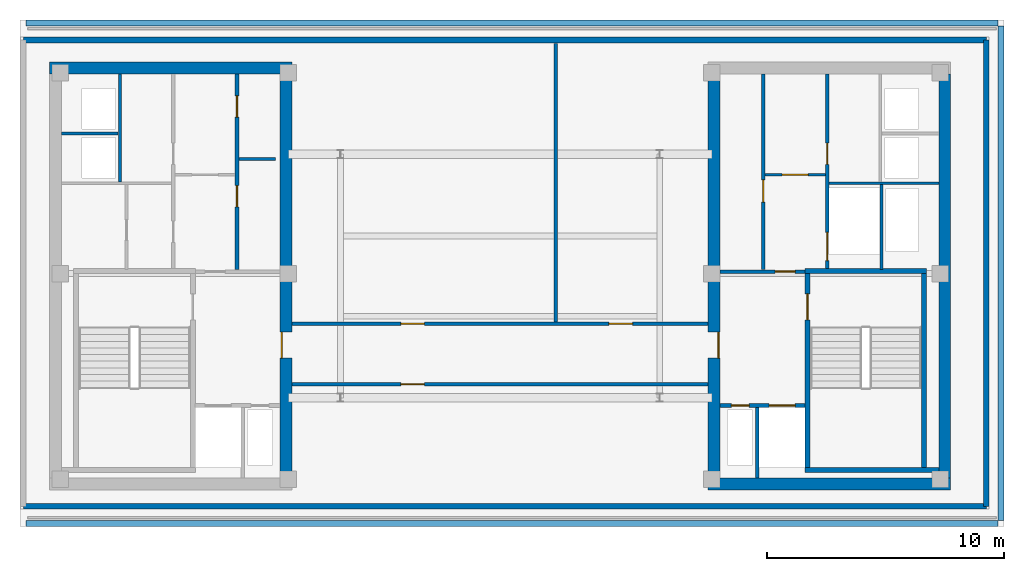
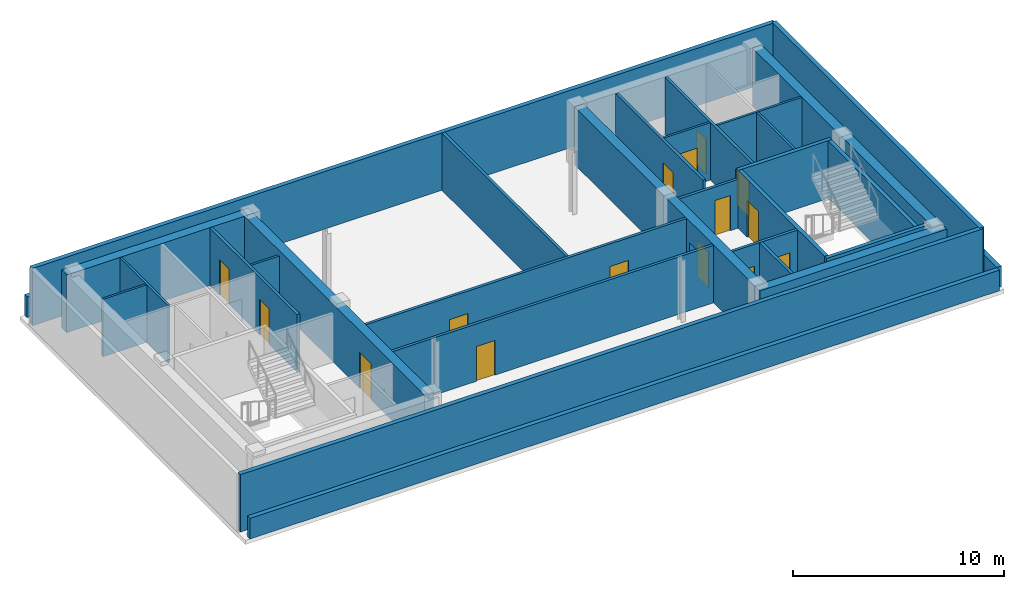
# One storey, part 3 of 5: 30 walls, 15 doors, 15 openings.
"""IFC4 building model written with IfcOpenShell, lengths in metres."""

from ifc_helpers import new_model, si_unit, direction, frame, frame_2d, origin, place, context, subcontext, project, spatial, rectangle, extrude, material, layer, layer_set, type_object, element, fill, save


model = new_model("IFC4")

# Units and contexts
model_context = context("Model", 3, precision=1e-05, world=origin(), true_north=direction((0.0, 1.0)))
body_context = subcontext(model_context, "Body", "Model", "MODEL_VIEW")
ifc_project = project(units=[si_unit("LENGTHUNIT", "METRE"), si_unit("AREAUNIT", "SQUARE_METRE"), si_unit("VOLUMEUNIT", "CUBIC_METRE"), si_unit("PLANEANGLEUNIT", "RADIAN"), si_unit("MASSUNIT", "GRAM", prefix="KILO")], contexts=[model_context])

# Site, building, storey
site_placement = place(None, origin())
site = spatial("IfcSite", under=ifc_project, at=site_placement, CompositionType="ELEMENT")
building_placement = place(site_placement, origin())
building = spatial("IfcBuilding", under=site, at=building_placement, Name="Velakula Bourse", CompositionType="ELEMENT")
storey_placement = place(building_placement, frame((0.0, 0.0, 304.949951171875)))
storey = spatial("IfcBuildingStorey", under=building, at=storey_placement, Name="L83", CompositionType="ELEMENT", Elevation=304.949951171875)

# Wall, opening, door
ifc_material_1 = material(Name="Concrete M50 (fck 50 MPa)", Category="concrete")
ifc_layer_1 = layer(ifc_material_1, 0.2099609375, Name="Concrete M50 (fck 50 MPa)", Category="concrete")
ifc_layer_set_1 = layer_set([ifc_layer_1], Name="Concrete M50 (fck 50 MPa)")
wall_type_1 = type_object("IfcWallType", Name="WL-CORE-210", PredefinedType="SHEAR", material=ifc_layer_set_1)
wall_1_placement = place(storey_placement, frame((12.9951171875, -8.10009765625, 0.0), z_axis=(0.0, 0.0, 1.0), x_axis=(0.0, 1.0, 0.0)))
wall_1 = element("IfcWall", 1, at=wall_1_placement, inside=storey, type_object=wall_type_1, Name="L83 Core E Stairwell Shear Wall IN", PredefinedType="SHEAR", context=body_context, shape_type="SweptSolid", body=[
    extrude(rectangle(XDim=8.2001953125, YDim=0.2099609375, at=frame_2d((4.10009765625, 0.0))), origin(), (0.0, 0.0, 1.0), 3.35009765625),
])
opening_1_placement = place(wall_1_placement, frame((6.25, 0.0, 0.0)))
opening_1 = element("IfcOpeningElement", 2, at=opening_1_placement, cuts=wall_1, Name="Opening D-STE1", PredefinedType="OPENING", context=body_context, shape_type="SweptSolid", body=[
    extrude(rectangle(XDim=1.10009765625, YDim=2.14990234375, at=frame_2d((0.550048828125, 1.074951171875))), frame((0.0, 0.114990234375, 0.0), z_axis=(0.0, -1.0, 0.0), x_axis=(1.0, 0.0, 0.0)), (0.0, 0.0, 1.0), 0.22998046875),
])
ifc_material_2 = material(Name="Galvanised painted hollow steel fire door", Category="steel")
door_type_1 = type_object("IfcDoorType", Name="DR-FD120-1100x2150", OperationType="NOTDEFINED", PredefinedType="DOOR", material=ifc_material_2)
door_1_placement = place(opening_1_placement, origin())
door_1 = element("IfcDoor", 3, at=door_1_placement, inside=storey, type_object=door_type_1, Name="L83 Stair ST-E1 Fire Door", OperationType="SINGLE_SWING_RIGHT", OverallHeight=2.14990234375, OverallWidth=1.10009765625, PredefinedType="DOOR", context=body_context, shape_type="SweptSolid", body=[
    extrude(rectangle(XDim=1.10009765625, YDim=2.14990234375, at=frame_2d((0.550048828125, 1.074951171875))), frame((0.0, 0.02490234375, 0.0), z_axis=(0.0, -1.0, 0.0), x_axis=(1.0, 0.0, 0.0)), (0.0, 0.0, 1.0), 0.050048828125),
])
fill(opening_1, door_1)

# Walls
wall_2_placement = place(storey_placement, frame((17.925048828125, -8.10009765625, 0.0), z_axis=(0.0, 0.0, 1.0), x_axis=(0.0, 1.0, 0.0)))
element("IfcWall", 4, at=wall_2_placement, inside=storey, type_object=wall_type_1, Name="L83 Core E Stairwell Shear Wall OUT", PredefinedType="SHEAR", context=body_context, shape_type="SweptSolid", body=[
    extrude(rectangle(XDim=8.2001953125, YDim=0.2099609375, at=frame_2d((4.10009765625, 0.0))), origin(), (0.0, 0.0, 1.0), 3.35009765625),
])
wall_3_placement = place(storey_placement, frame((12.889892578125, -8.205078125, 0.0), z_axis=(0.0, 0.0, 1.0), x_axis=(1.0, 0.0, 0.0)))
element("IfcWall", 5, at=wall_3_placement, inside=storey, type_object=wall_type_1, Name="L83 Core E Stairwell Shear Wall S", PredefinedType="SHEAR", context=body_context, shape_type="SweptSolid", body=[
    extrude(rectangle(XDim=5.66015625, YDim=0.2099609375, at=frame_2d((2.830078125, 0.0))), origin(), (0.0, 0.0, 1.0), 3.35009765625),
])
wall_4_placement = place(storey_placement, frame((18.030029296875, 0.205078125, 0.0), z_axis=(0.0, 0.0, 1.0), x_axis=(-1.0, 0.0, 0.0)))
element("IfcWall", 6, at=wall_4_placement, inside=storey, type_object=wall_type_1, Name="L83 Core E Stairwell Shear Wall N", PredefinedType="SHEAR", context=body_context, shape_type="SweptSolid", body=[
    extrude(rectangle(XDim=5.14013671875, YDim=0.2099609375, at=frame_2d((2.570068359375, 0.0))), origin(), (0.0, 0.0, 1.0), 3.35009765625),
])
ifc_layer_2 = layer(ifc_material_1, 0.5, Name="Concrete M50 (fck 50 MPa)", Category="concrete")
ifc_layer_set_2 = layer_set([ifc_layer_2], Name="Concrete M50 (fck 50 MPa)")
wall_type_2 = type_object("IfcWallType", Name="WL-CORE-500", PredefinedType="SHEAR", material=ifc_layer_set_2)
wall_5_placement = place(storey_placement, frame((-19.050048828125, 8.800048828125, 0.0), z_axis=(0.0, 0.0, 1.0), x_axis=(1.0, 0.0, 0.0)))
element("IfcWall", 7, at=wall_5_placement, inside=storey, type_object=wall_type_2, Name="L83 Core W Shear Wall N", PredefinedType="SHEAR", context=body_context, shape_type="SweptSolid", body=[
    extrude(rectangle(XDim=10.25, YDim=0.5, at=frame_2d((5.125, 0.0))), origin(), (0.0, 0.0, 1.0), 3.35009765625),
])

# Wall, opening, door
wall_6_placement = place(storey_placement, frame((-9.050048828125, -8.550048828125, 0.0), z_axis=(0.0, 0.0, 1.0), x_axis=(0.0, 1.0, 0.0)))
wall_6 = element("IfcWall", 8, at=wall_6_placement, inside=storey, type_object=wall_type_2, Name="L83 Core W Shear Wall E", PredefinedType="SHEAR", context=body_context, shape_type="SweptSolid", body=[
    extrude(rectangle(XDim=17.10009765625, YDim=0.5, at=frame_2d((8.550048828125, 0.0))), origin(), (0.0, 0.0, 1.0), 3.35009765625),
])
opening_2_placement = place(wall_6_placement, frame((5.080078125, 0.0, 0.0)))
opening_2 = element("IfcOpeningElement", 9, at=opening_2_placement, cuts=wall_6, Name="Opening D-FLW", PredefinedType="OPENING", context=body_context, shape_type="SweptSolid", body=[
    extrude(rectangle(XDim=1.10009765625, YDim=2.080078125, at=frame_2d((0.550048828125, 1.0400390625))), frame((0.0, 0.260009765625, 0.0), z_axis=(0.0, -1.0, 0.0), x_axis=(1.0, 0.0, 0.0)), (0.0, 0.0, 1.0), 0.52001953125),
])
door_type_2 = type_object("IfcDoorType", Name="DR-FD120-1100", OperationType="NOTDEFINED", PredefinedType="DOOR", material=ifc_material_2)
door_2_placement = place(opening_2_placement, origin())
door_2 = element("IfcDoor", 10, at=door_2_placement, inside=storey, type_object=door_type_2, Name="L83 Firefighting Lobby W Corridor Fire Door", OperationType="SINGLE_SWING_LEFT", OverallHeight=2.080078125, OverallWidth=1.10009765625, PredefinedType="DOOR", context=body_context, shape_type="SweptSolid", body=[
    extrude(rectangle(XDim=1.10009765625, YDim=2.080078125, at=frame_2d((0.550048828125, 1.0400390625))), frame((0.0, 0.205078125, 0.0), z_axis=(0.0, -1.0, 0.0), x_axis=(1.0, 0.0, 0.0)), (0.0, 0.0, 1.0), 0.050048828125),
])
fill(opening_2, door_2)

# Wall
wall_7_placement = place(storey_placement, frame((8.800048828125, -8.800048828125, 0.0), z_axis=(0.0, 0.0, 1.0), x_axis=(1.0, 0.0, 0.0)))
element("IfcWall", 11, at=wall_7_placement, inside=storey, type_object=wall_type_2, Name="L83 Core E Shear Wall S", PredefinedType="SHEAR", context=body_context, shape_type="SweptSolid", body=[
    extrude(rectangle(XDim=10.25, YDim=0.5, at=frame_2d((5.125, 0.0))), origin(), (0.0, 0.0, 1.0), 3.35009765625),
])

# Wall, opening, door
wall_8_placement = place(storey_placement, frame((9.050048828125, -8.550048828125, 0.0), z_axis=(0.0, 0.0, 1.0), x_axis=(0.0, 1.0, 0.0)))
wall_8 = element("IfcWall", 12, at=wall_8_placement, inside=storey, type_object=wall_type_2, Name="L83 Core E Shear Wall W", PredefinedType="SHEAR", context=body_context, shape_type="SweptSolid", body=[
    extrude(rectangle(XDim=17.10009765625, YDim=0.5, at=frame_2d((8.550048828125, 0.0))), origin(), (0.0, 0.0, 1.0), 3.35009765625),
])
opening_3_placement = place(wall_8_placement, frame((5.080078125, 0.0, 0.0)))
opening_3 = element("IfcOpeningElement", 13, at=opening_3_placement, cuts=wall_8, Name="Opening D-FLE", PredefinedType="OPENING", context=body_context, shape_type="SweptSolid", body=[
    extrude(rectangle(XDim=1.10009765625, YDim=2.080078125, at=frame_2d((0.550048828125, 1.0400390625))), frame((0.0, 0.260009765625, 0.0), z_axis=(0.0, -1.0, 0.0), x_axis=(1.0, 0.0, 0.0)), (0.0, 0.0, 1.0), 0.52001953125),
])
door_3_placement = place(opening_3_placement, origin())
door_3 = element("IfcDoor", 14, at=door_3_placement, inside=storey, type_object=door_type_2, Name="L83 Firefighting Lobby E Corridor Fire Door", OperationType="SINGLE_SWING_RIGHT", OverallHeight=2.080078125, OverallWidth=1.10009765625, PredefinedType="DOOR", context=body_context, shape_type="SweptSolid", body=[
    extrude(rectangle(XDim=1.10009765625, YDim=2.080078125, at=frame_2d((0.550048828125, 1.0400390625))), frame((0.0, -0.15478515625, 0.0), z_axis=(0.0, -1.0, 0.0), x_axis=(1.0, 0.0, 0.0)), (0.0, 0.0, 1.0), 0.050048828125),
])
fill(opening_3, door_3)

# Walls
wall_9_placement = place(storey_placement, frame((18.800048828125, -8.550048828125, 0.0), z_axis=(0.0, 0.0, 1.0), x_axis=(0.0, 1.0, 0.0)))
element("IfcWall", 15, at=wall_9_placement, inside=storey, type_object=wall_type_2, Name="L83 Core E Shear Wall E", PredefinedType="SHEAR", context=body_context, shape_type="SweptSolid", body=[
    extrude(rectangle(XDim=17.10009765625, YDim=0.5, at=frame_2d((8.550048828125, 0.0))), origin(), (0.0, 0.0, 1.0), 3.35009765625),
])
ifc_material_3 = material(Name="Buff kilned clay facing brick masonry", Category="masonry")
ifc_layer_3 = layer(ifc_material_3, 0.239990234375, Name="Buff kilned clay facing brick masonry", Category="masonry")
ifc_layer_set_3 = layer_set([ifc_layer_3], Name="Buff kilned clay facing brick masonry")
wall_type_3 = type_object("IfcWallType", Name="WL-EXT-CRN-240", PredefinedType="STANDARD", material=ifc_layer_set_3)
wall_10_placement = place(storey_placement, frame((-20.159912109375, -9.739990234375, 0.0), z_axis=(0.0, 0.0, 1.0), x_axis=(1.0, 0.0, 0.0)))
element("IfcWall", 16, at=wall_10_placement, inside=storey, type_object=wall_type_3, Name="L83 Crown Brick Acoustic Wall S", PredefinedType="STANDARD", context=body_context, shape_type="SweptSolid", body=[
    extrude(rectangle(XDim=40.719970703125, YDim=0.239990234375, at=frame_2d((20.35986328125, 0.0))), origin(), (0.0, 0.0, 1.0), 3.330078125),
])
wall_11_placement = place(storey_placement, frame((20.56005859375, -9.739990234375, 0.0), z_axis=(0.0, 0.0, 1.0), x_axis=(0.0, 1.0, 0.0)))
element("IfcWall", 17, at=wall_11_placement, inside=storey, type_object=wall_type_3, Name="L83 Crown Brick Acoustic Wall E", PredefinedType="STANDARD", context=body_context, shape_type="SweptSolid", body=[
    extrude(rectangle(XDim=19.719970703125, YDim=0.239990234375, at=frame_2d((9.85986328125, 0.0))), origin(), (0.0, 0.0, 1.0), 3.330078125),
])
wall_12_placement = place(storey_placement, frame((20.56005859375, 9.97998046875, 0.0), z_axis=(0.0, 0.0, 1.0), x_axis=(-1.0, 0.0, 0.0)))
element("IfcWall", 18, at=wall_12_placement, inside=storey, type_object=wall_type_3, Name="L83 Crown Brick Acoustic Wall N", PredefinedType="STANDARD", context=body_context, shape_type="SweptSolid", body=[
    extrude(rectangle(XDim=40.719970703125, YDim=0.239990234375, at=frame_2d((20.35986328125, 0.0))), origin(), (0.0, 0.0, 1.0), 3.330078125),
])
ifc_layer_4 = layer(ifc_material_3, 0.25, Name="Buff kilned clay facing brick masonry", Category="masonry")
ifc_layer_set_4 = layer_set([ifc_layer_4], Name="Buff kilned clay facing brick masonry")
wall_type_4 = type_object("IfcWallType", Name="WL-PAR-ROOF-250", PredefinedType="PARAPET", material=ifc_layer_set_4)
wall_13_placement = place(storey_placement, frame((-20.050048828125, 10.699951171875, 0.0), z_axis=(0.0, 0.0, 1.0), x_axis=(1.0, 0.0, 0.0)))
element("IfcWall", 19, at=wall_13_placement, inside=storey, type_object=wall_type_4, Name="L83 Closed Roof Perimeter Parapet 1", PredefinedType="PARAPET", context=body_context, shape_type="SweptSolid", body=[
    extrude(rectangle(XDim=41.10009765625, YDim=0.25, at=frame_2d((20.550048828125, 0.0))), origin(), (0.0, 0.0, 1.0), 1.199951171875),
])
wall_14_placement = place(storey_placement, frame((21.179931640625, 10.570068359375, 0.0), z_axis=(0.0, 0.0, 1.0), x_axis=(0.0, -1.0, 0.0)))
element("IfcWall", 20, at=wall_14_placement, inside=storey, type_object=wall_type_4, Name="L83 Closed Roof Perimeter Parapet 2", PredefinedType="PARAPET", context=body_context, shape_type="SweptSolid", body=[
    extrude(rectangle(XDim=20.900146484375, YDim=0.25, at=frame_2d((10.4501953125, 0.0))), origin(), (0.0, 0.0, 1.0), 1.199951171875),
])
wall_15_placement = place(storey_placement, frame((21.050048828125, -10.4599609375, 0.0), z_axis=(0.0, 0.0, 1.0), x_axis=(-1.0, 0.0, 0.0)))
element("IfcWall", 21, at=wall_15_placement, inside=storey, type_object=wall_type_4, Name="L83 Closed Roof Perimeter Parapet 3", PredefinedType="PARAPET", context=body_context, shape_type="SweptSolid", body=[
    extrude(rectangle(XDim=41.10009765625, YDim=0.25, at=frame_2d((20.550048828125, 0.0))), origin(), (0.0, 0.0, 1.0), 1.199951171875),
])
ifc_material_4 = material(Name="Fire-rated double-layer gypsum drywall partition", Category="gypsum")
ifc_layer_5 = layer(ifc_material_4, 0.1201171875, Name="Fire-rated double-layer gypsum drywall partition", Category="gypsum")
ifc_layer_set_5 = layer_set([ifc_layer_5], Name="Fire-rated double-layer gypsum drywall partition")
wall_type_5 = type_object("IfcWallType", Name="WL-PART-120", PredefinedType="STANDARD", material=ifc_layer_set_5)
wall_16_placement = place(storey_placement, frame((-11.050048828125, 4.949951171875, 0.0), z_axis=(0.0, 0.0, 1.0), x_axis=(1.0, 0.0, 0.0)))
element("IfcWall", 22, at=wall_16_placement, inside=storey, type_object=wall_type_5, Name="L83 Interior Partition WL-CRW-L83-RCDIV", PredefinedType="STANDARD", context=body_context, shape_type="SweptSolid", body=[
    extrude(rectangle(XDim=1.550048828125, YDim=0.1201171875, at=frame_2d((0.77490234375, 0.0))), origin(), (0.0, 0.0, 1.0), 3.330078125),
])
wall_17_placement = place(storey_placement, frame((-18.550048828125, 6.030029296875, 0.0), z_axis=(0.0, 0.0, 1.0), x_axis=(1.0, 0.0, 0.0)))
element("IfcWall", 23, at=wall_17_placement, inside=storey, type_object=wall_type_5, Name="L83 Interior Partition WL-CRW-L83-RIS-MID", PredefinedType="STANDARD", context=body_context, shape_type="SweptSolid", body=[
    extrude(rectangle(XDim=2.400146484375, YDim=0.1201171875, at=frame_2d((1.2001953125, 0.0))), origin(), (0.0, 0.0, 1.0), 3.330078125),
])
wall_18_placement = place(storey_placement, frame((-16.074951171875, 3.97998046875, 0.0), z_axis=(0.0, 0.0, 1.0), x_axis=(0.0, 1.0, 0.0)))
element("IfcWall", 24, at=wall_18_placement, inside=storey, type_object=wall_type_5, Name="L83 Interior Partition WL-CRW-L83-RIS-F", PredefinedType="STANDARD", context=body_context, shape_type="SweptSolid", body=[
    extrude(rectangle(XDim=4.570068359375, YDim=0.1201171875, at=frame_2d((2.28515625, 0.0))), origin(), (0.0, 0.0, 1.0), 3.330078125),
])

# Wall, opening, door
wall_19_placement = place(storey_placement, frame((11.199951171875, 4.280029296875, 0.0), z_axis=(0.0, 0.0, 1.0), x_axis=(1.0, 0.0, 0.0)))
wall_19 = element("IfcWall", 25, at=wall_19_placement, inside=storey, type_object=wall_type_5, Name="L83 Interior Partition WL-CRE-L83-LL-K2", PredefinedType="STANDARD", context=body_context, shape_type="SweptSolid", body=[
    extrude(rectangle(XDim=2.550048828125, YDim=0.1201171875, at=frame_2d((1.27490234375, 0.0))), origin(), (0.0, 0.0, 1.0), 3.330078125),
])
opening_4_placement = place(wall_19_placement, frame((0.72509765625, 0.0, 0.0)))
opening_4 = element("IfcOpeningElement", 26, at=opening_4_placement, cuts=wall_19, Name="Opening D-LK2", PredefinedType="OPENING", context=body_context, shape_type="SweptSolid", body=[
    extrude(rectangle(XDim=1.10009765625, YDim=2.10009765625, at=frame_2d((0.550048828125, 1.050048828125))), frame((0.0, 0.070068359375, 0.0), z_axis=(0.0, -1.0, 0.0), x_axis=(1.0, 0.0, 0.0)), (0.0, 0.0, 1.0), 0.14013671875),
])
ifc_material_5 = material(Name="Fire-rated hardwood flush architectural door", Category="wood")
door_type_3 = type_object("IfcDoorType", Name="DR-FD60-1100x2100", OperationType="NOTDEFINED", PredefinedType="DOOR", material=ifc_material_5)
door_4_placement = place(opening_4_placement, origin())
door_4 = element("IfcDoor", 27, at=door_4_placement, inside=storey, type_object=door_type_3, Name="L83 Core E Lift Lobby Zone Door", OperationType="SINGLE_SWING_LEFT", OverallHeight=2.10009765625, OverallWidth=1.10009765625, PredefinedType="DOOR", context=body_context, shape_type="SweptSolid", body=[
    extrude(rectangle(XDim=1.10009765625, YDim=2.10009765625, at=frame_2d((0.550048828125, 1.050048828125))), frame((0.0, 0.02490234375, 0.0), z_axis=(0.0, -1.0, 0.0), x_axis=(1.0, 0.0, 0.0)), (0.0, 0.0, 1.0), 0.050048828125),
])
fill(opening_4, door_4)

# Walls
wall_20_placement = place(storey_placement, frame((13.89990234375, 3.919921875, 0.0), z_axis=(0.0, 0.0, 1.0), x_axis=(1.0, 0.0, 0.0)))
element("IfcWall", 28, at=wall_20_placement, inside=storey, type_object=wall_type_5, Name="L83 Interior Partition WL-CRE-L83-HI-S", PredefinedType="STANDARD", context=body_context, shape_type="SweptSolid", body=[
    extrude(rectangle(XDim=4.650146484375, YDim=0.1201171875, at=frame_2d((2.3251953125, 0.0))), origin(), (0.0, 0.0, 1.0), 3.330078125),
])
wall_21_placement = place(storey_placement, frame((16.125, 0.27001953125, 0.0), z_axis=(0.0, 0.0, 1.0), x_axis=(0.0, 1.0, 0.0)))
element("IfcWall", 29, at=wall_21_placement, inside=storey, type_object=wall_type_5, Name="L83 Interior Partition WL-CRE-L83-SVL-E", PredefinedType="STANDARD", context=body_context, shape_type="SweptSolid", body=[
    extrude(rectangle(XDim=3.590087890625, YDim=0.1201171875, at=frame_2d((1.794921875, 0.0))), origin(), (0.0, 0.0, 1.0), 3.330078125),
])

# Wall, openings, doors
ifc_material_6 = material(Name="Autoclaved aerated concrete blockwork masonry", Category="masonry")
ifc_layer_6 = layer(ifc_material_6, 0.14990234375, Name="Autoclaved aerated concrete blockwork masonry", Category="masonry")
ifc_layer_set_6 = layer_set([ifc_layer_6], Name="Autoclaved aerated concrete blockwork masonry")
wall_type_6 = type_object("IfcWallType", Name="WL-SHAFT-150", PredefinedType="STANDARD", material=ifc_layer_set_6)
wall_22_placement = place(storey_placement, frame((-11.125, 0.27001953125, 0.0), z_axis=(0.0, 0.0, 1.0), x_axis=(0.0, 1.0, 0.0)))
wall_22 = element("IfcWall", 30, at=wall_22_placement, inside=storey, type_object=wall_type_6, Name="L83 Interior Partition WL-CRW-L83-BANK-F", PredefinedType="STANDARD", context=body_context, shape_type="SweptSolid", body=[
    extrude(rectangle(XDim=8.280029296875, YDim=0.14990234375, at=frame_2d((4.14013671875, 0.0))), origin(), (0.0, 0.0, 1.0), 3.330078125),
])
opening_5_placement = place(wall_22_placement, frame((2.64990234375, 0.0, 0.0)))
opening_5 = element("IfcOpeningElement", 31, at=opening_5_placement, cuts=wall_22, Name="Opening D-RC1", PredefinedType="OPENING", context=body_context, shape_type="SweptSolid", body=[
    extrude(rectangle(XDim=0.89990234375, YDim=2.050048828125, at=frame_2d((0.449951171875, 1.02490234375))), frame((0.0, 0.0849609375, 0.0), z_axis=(0.0, -1.0, 0.0), x_axis=(1.0, 0.0, 0.0)), (0.0, 0.0, 1.0), 0.169921875),
])
opening_6_placement = place(wall_22_placement, frame((6.449951171875, 0.0, 0.0)))
opening_6 = element("IfcOpeningElement", 32, at=opening_6_placement, cuts=wall_22, Name="Opening D-RC1", PredefinedType="OPENING", context=body_context, shape_type="SweptSolid", body=[
    extrude(rectangle(XDim=0.89990234375, YDim=2.050048828125, at=frame_2d((0.449951171875, 1.02490234375))), frame((0.0, 0.0849609375, 0.0), z_axis=(0.0, -1.0, 0.0), x_axis=(1.0, 0.0, 0.0)), (0.0, 0.0, 1.0), 0.169921875),
])
door_type_4 = type_object("IfcDoorType", Name="DR-FD60-900", OperationType="NOTDEFINED", PredefinedType="DOOR", material=ifc_material_5)
door_5_placement = place(opening_5_placement, origin())
door_5 = element("IfcDoor", 33, at=door_5_placement, inside=storey, type_object=door_type_4, Name="L83 Reclaimed Archive Room Door", OperationType="SINGLE_SWING_RIGHT", OverallHeight=2.050048828125, OverallWidth=0.89990234375, PredefinedType="DOOR", context=body_context, shape_type="SweptSolid", body=[
    extrude(rectangle(XDim=0.89990234375, YDim=2.050048828125, at=frame_2d((0.449951171875, 1.02490234375))), frame((0.0, 0.02490234375, 0.0), z_axis=(0.0, -1.0, 0.0), x_axis=(1.0, 0.0, 0.0)), (0.0, 0.0, 1.0), 0.050048828125),
])
fill(opening_5, door_5)
door_6_placement = place(opening_6_placement, origin())
door_6 = element("IfcDoor", 34, at=door_6_placement, inside=storey, type_object=door_type_4, Name="L83 Reclaimed Registry Store Door", OperationType="SINGLE_SWING_LEFT", OverallHeight=2.050048828125, OverallWidth=0.89990234375, PredefinedType="DOOR", context=body_context, shape_type="SweptSolid", body=[
    extrude(rectangle(XDim=0.89990234375, YDim=2.050048828125, at=frame_2d((0.449951171875, 1.02490234375))), frame((0.0, 0.02490234375, 0.0), z_axis=(0.0, -1.0, 0.0), x_axis=(1.0, 0.0, 0.0)), (0.0, 0.0, 1.0), 0.050048828125),
])
fill(opening_6, door_6)

wall_23_placement = place(storey_placement, frame((9.300048828125, -5.47509765625, 0.0), z_axis=(0.0, 0.0, 1.0), x_axis=(1.0, 0.0, 0.0)))
wall_23 = element("IfcWall", 35, at=wall_23_placement, inside=storey, type_object=wall_type_6, Name="L83 Interior Partition WL-CRE-L83-FFL-N", PredefinedType="STANDARD", context=body_context, shape_type="SweptSolid", body=[
    extrude(rectangle(XDim=3.594970703125, YDim=0.14990234375, at=frame_2d((1.79736328125, 0.0))), origin(), (0.0, 0.0, 1.0), 3.330078125),
])
opening_7_placement = place(wall_23_placement, frame((2.074951171875, 0.0, 0.0)))
opening_7 = element("IfcOpeningElement", 36, at=opening_7_placement, cuts=wall_23, Name="Opening LD-FFL-2", PredefinedType="OPENING", context=body_context, shape_type="SweptSolid", body=[
    extrude(rectangle(XDim=1.10009765625, YDim=2.14990234375, at=frame_2d((0.550048828125, 1.074951171875))), frame((0.0, 0.0849609375, 0.0), z_axis=(0.0, -1.0, 0.0), x_axis=(1.0, 0.0, 0.0)), (0.0, 0.0, 1.0), 0.169921875),
])
opening_8_placement = place(wall_23_placement, frame((0.47509765625, 0.0, 0.0)))
opening_8 = element("IfcOpeningElement", 37, at=opening_8_placement, cuts=wall_23, Name="Opening D-RS1", PredefinedType="OPENING", context=body_context, shape_type="SweptSolid", body=[
    extrude(rectangle(XDim=0.75, YDim=2.050048828125, at=frame_2d((0.375, 1.02490234375))), frame((0.0, 0.0849609375, 0.0), z_axis=(0.0, -1.0, 0.0), x_axis=(1.0, 0.0, 0.0)), (0.0, 0.0, 1.0), 0.169921875),
])
door_type_5 = type_object("IfcDoorType", Name="DR-RISER-800", OperationType="NOTDEFINED", PredefinedType="DOOR", material=ifc_material_2)
door_7_placement = place(opening_8_placement, origin())
door_7 = element("IfcDoor", 38, at=door_7_placement, inside=storey, type_object=door_type_5, Name="L83 Fire Riser Access Door", OperationType="SINGLE_SWING_LEFT", OverallHeight=2.050048828125, OverallWidth=0.75, PredefinedType="DOOR", context=body_context, shape_type="SweptSolid", body=[
    extrude(rectangle(XDim=0.75, YDim=2.050048828125, at=frame_2d((0.375, 1.02490234375))), frame((0.0, 0.02490234375, 0.0), z_axis=(0.0, -1.0, 0.0), x_axis=(1.0, 0.0, 0.0)), (0.0, 0.0, 1.0), 0.050048828125),
])
fill(opening_8, door_7)
ifc_material_7 = material(Name="Brushed grade 316 stainless steel", Category="steel")
door_type_6 = type_object("IfcDoorType", Name="DR-SLIDE-FFL-1100", OperationType="DOUBLE_DOOR_SLIDING", PredefinedType="DOOR", material=ifc_material_7)
door_8_placement = place(opening_7_placement, origin())
door_8 = element("IfcDoor", 39, at=door_8_placement, inside=storey, type_object=door_type_6, Name="L83 Firefighting Lift FFL-2 Sliding Landing Door", OperationType="DOUBLE_DOOR_SLIDING", OverallHeight=2.14990234375, OverallWidth=1.10009765625, PredefinedType="DOOR", context=body_context, shape_type="SweptSolid", body=[
    extrude(rectangle(XDim=1.10009765625, YDim=2.14990234375, at=frame_2d((0.550048828125, 1.074951171875))), frame((0.0, 0.02490234375, 0.0), z_axis=(0.0, -1.0, 0.0), x_axis=(1.0, 0.0, 0.0)), (0.0, 0.0, 1.0), 0.050048828125),
])
fill(opening_7, door_8)

# Wall
wall_24_placement = place(storey_placement, frame((10.875, -8.550048828125, 0.0), z_axis=(0.0, 0.0, 1.0), x_axis=(0.0, 1.0, 0.0)))
element("IfcWall", 40, at=wall_24_placement, inside=storey, type_object=wall_type_6, Name="L83 Interior Partition WL-CRE-L83-FR-DIV", PredefinedType="STANDARD", context=body_context, shape_type="SweptSolid", body=[
    extrude(rectangle(XDim=3.0, YDim=0.14990234375, at=frame_2d((1.5, 0.0))), origin(), (0.0, 0.0, 1.0), 3.330078125),
])

# Wall, opening, door
wall_25_placement = place(storey_placement, frame((9.300048828125, 0.18994140625, 0.0), z_axis=(0.0, 0.0, 1.0), x_axis=(1.0, 0.0, 0.0)))
wall_25 = element("IfcWall", 41, at=wall_25_placement, inside=storey, type_object=wall_type_6, Name="L83 Interior Partition WL-CRE-L83-FF-TOP", PredefinedType="STANDARD", context=body_context, shape_type="SweptSolid", body=[
    extrude(rectangle(XDim=3.58984375, YDim=0.14990234375, at=frame_2d((1.794921875, 0.0))), origin(), (0.0, 0.0, 1.0), 2.824951171875),
])
opening_9_placement = place(wall_25_placement, frame((2.324951171875, 0.0, 0.0)))
opening_9 = element("IfcOpeningElement", 42, at=opening_9_placement, cuts=wall_25, Name="Opening D-FC1", PredefinedType="OPENING", context=body_context, shape_type="SweptSolid", body=[
    extrude(rectangle(XDim=0.85009765625, YDim=2.0400390625, at=frame_2d((0.425048828125, 1.02001953125))), frame((0.0, 0.0849609375, 0.0), z_axis=(0.0, -1.0, 0.0), x_axis=(1.0, 0.0, 0.0)), (0.0, 0.0, 1.0), 0.169921875),
])
door_type_7 = type_object("IfcDoorType", Name="DR-FD120-850", OperationType="NOTDEFINED", PredefinedType="DOOR", material=ifc_material_2)
door_9_placement = place(opening_9_placement, origin())
door_9 = element("IfcDoor", 43, at=door_9_placement, inside=storey, type_object=door_type_7, Name="L83 Firefighting Lobby Link Fire Door", OperationType="SINGLE_SWING_LEFT", OverallHeight=2.0400390625, OverallWidth=0.85009765625, PredefinedType="DOOR", context=body_context, shape_type="SweptSolid", body=[
    extrude(rectangle(XDim=0.85009765625, YDim=2.0400390625, at=frame_2d((0.425048828125, 1.02001953125))), frame((0.0, 0.02490234375, 0.0), z_axis=(0.0, -1.0, 0.0), x_axis=(1.0, 0.0, 0.0)), (0.0, 0.0, 1.0), 0.050048828125),
])
fill(opening_9, door_9)

wall_26_placement = place(storey_placement, frame((11.125, 0.27001953125, 0.0), z_axis=(0.0, 0.0, 1.0), x_axis=(0.0, 1.0, 0.0)))
wall_26 = element("IfcWall", 44, at=wall_26_placement, inside=storey, type_object=wall_type_6, Name="L83 Interior Partition WL-CRE-L83-BANK-F", PredefinedType="STANDARD", context=body_context, shape_type="SweptSolid", body=[
    extrude(rectangle(XDim=8.280029296875, YDim=0.14990234375, at=frame_2d((4.14013671875, 0.0))), origin(), (0.0, 0.0, 1.0), 3.330078125),
])
opening_10_placement = place(wall_26_placement, frame((2.85009765625, 0.0, 0.0)))
opening_10 = element("IfcOpeningElement", 45, at=opening_10_placement, cuts=wall_26, Name="Opening D-RC5", PredefinedType="OPENING", context=body_context, shape_type="SweptSolid", body=[
    extrude(rectangle(XDim=0.949951171875, YDim=2.050048828125, at=frame_2d((0.47509765625, 1.02490234375))), frame((0.0, 0.0849609375, 0.0), z_axis=(0.0, -1.0, 0.0), x_axis=(1.0, 0.0, 0.0)), (0.0, 0.0, 1.0), 0.169921875),
])
door_type_8 = type_object("IfcDoorType", Name="DR-FD60-950x2050", OperationType="NOTDEFINED", PredefinedType="DOOR", material=ifc_material_5)
door_10_placement = place(opening_10_placement, origin())
door_10 = element("IfcDoor", 46, at=door_10_placement, inside=storey, type_object=door_type_8, Name="L83 Reclaimed Multi-Bay Depository Room Door", OperationType="SINGLE_SWING_RIGHT", OverallHeight=2.050048828125, OverallWidth=0.949951171875, PredefinedType="DOOR", context=body_context, shape_type="SweptSolid", body=[
    extrude(rectangle(XDim=0.949951171875, YDim=2.050048828125, at=frame_2d((0.47509765625, 1.02490234375))), frame((0.0, 0.02490234375, 0.0), z_axis=(0.0, -1.0, 0.0), x_axis=(1.0, 0.0, 0.0)), (0.0, 0.0, 1.0), 0.050048828125),
])
fill(opening_10, door_10)

# Wall, openings, doors
wall_27_placement = place(storey_placement, frame((13.824951171875, 0.27001953125, 0.0), z_axis=(0.0, 0.0, 1.0), x_axis=(0.0, 1.0, 0.0)))
wall_27 = element("IfcWall", 47, at=wall_27_placement, inside=storey, type_object=wall_type_6, Name="L83 Interior Partition WL-CRE-L83-OUT-F", PredefinedType="STANDARD", context=body_context, shape_type="SweptSolid", body=[
    extrude(rectangle(XDim=8.280029296875, YDim=0.14990234375, at=frame_2d((4.14013671875, 0.0))), origin(), (0.0, 0.0, 1.0), 3.330078125),
])
opening_11_placement = place(wall_27_placement, frame((4.449951171875, 0.0, 0.0)))
opening_11 = element("IfcOpeningElement", 48, at=opening_11_placement, cuts=wall_27, Name="Opening D-RC3", PredefinedType="OPENING", context=body_context, shape_type="SweptSolid", body=[
    extrude(rectangle(XDim=0.89990234375, YDim=2.050048828125, at=frame_2d((0.449951171875, 1.02490234375))), frame((0.0, 0.0849609375, 0.0), z_axis=(0.0, -1.0, 0.0), x_axis=(1.0, 0.0, 0.0)), (0.0, 0.0, 1.0), 0.169921875),
])
opening_12_placement = place(wall_27_placement, frame((0.3798828125, 0.0, 0.0)))
opening_12 = element("IfcOpeningElement", 49, at=opening_12_placement, cuts=wall_27, Name="Opening LD-SVL1", PredefinedType="OPENING", context=body_context, shape_type="SweptSolid", body=[
    extrude(rectangle(XDim=1.199951171875, YDim=2.10009765625, at=frame_2d((0.60009765625, 1.050048828125))), frame((0.0, 0.0849609375, 0.0), z_axis=(0.0, -1.0, 0.0), x_axis=(1.0, 0.0, 0.0)), (0.0, 0.0, 1.0), 0.169921875),
])
door_11_placement = place(opening_11_placement, origin())
door_11 = element("IfcDoor", 50, at=door_11_placement, inside=storey, type_object=door_type_4, Name="L83 Crown Lift Machine Plant Room Door", OperationType="SINGLE_SWING_LEFT", OverallHeight=2.050048828125, OverallWidth=0.89990234375, PredefinedType="DOOR", context=body_context, shape_type="SweptSolid", body=[
    extrude(rectangle(XDim=0.89990234375, YDim=2.050048828125, at=frame_2d((0.449951171875, 1.02490234375))), frame((0.0, 0.02490234375, 0.0), z_axis=(0.0, -1.0, 0.0), x_axis=(1.0, 0.0, 0.0)), (0.0, 0.0, 1.0), 0.050048828125),
])
fill(opening_11, door_11)
door_type_9 = type_object("IfcDoorType", Name="DR-SLIDE-LD-1200", OperationType="DOUBLE_DOOR_SLIDING", PredefinedType="DOOR", material=ifc_material_7)
door_12_placement = place(opening_12_placement, origin())
door_12 = element("IfcDoor", 51, at=door_12_placement, inside=storey, type_object=door_type_9, Name="L83 Service Lift SVL-1 Sliding Landing Door", OperationType="DOUBLE_DOOR_SLIDING", OverallHeight=2.10009765625, OverallWidth=1.199951171875, PredefinedType="DOOR", context=body_context, shape_type="SweptSolid", body=[
    extrude(rectangle(XDim=1.199951171875, YDim=2.10009765625, at=frame_2d((0.60009765625, 1.050048828125))), frame((0.0, 0.02490234375, 0.0), z_axis=(0.0, -1.0, 0.0), x_axis=(1.0, 0.0, 0.0)), (0.0, 0.0, 1.0), 0.050048828125),
])
fill(opening_12, door_12)

wall_28_placement = place(storey_placement, frame((-8.800048828125, -2.02001953125, 0.0), z_axis=(0.0, 0.0, 1.0), x_axis=(1.0, 0.0, 0.0)))
wall_28 = element("IfcWall", 52, at=wall_28_placement, inside=storey, type_object=wall_type_6, Name="L83 Interior Partition WL-CRN-L83-N", PredefinedType="STANDARD", context=body_context, shape_type="SweptSolid", body=[
    extrude(rectangle(XDim=17.60009765625, YDim=0.14990234375, at=frame_2d((8.800048828125, 0.0))), origin(), (0.0, 0.0, 1.0), 3.330078125),
])
opening_13_placement = place(wall_28_placement, frame((4.60009765625, 0.0, 0.0)))
opening_13 = element("IfcOpeningElement", 53, at=opening_13_placement, cuts=wall_28, Name="Opening D-CP3", PredefinedType="OPENING", context=body_context, shape_type="SweptSolid", body=[
    extrude(rectangle(XDim=1.0, YDim=2.02001953125, at=frame_2d((0.5, 1.010009765625))), frame((0.0, 0.0849609375, 0.0), z_axis=(0.0, -1.0, 0.0), x_axis=(1.0, 0.0, 0.0)), (0.0, 0.0, 1.0), 0.169921875),
])
opening_14_placement = place(wall_28_placement, frame((13.39990234375, 0.0, 0.0)))
opening_14 = element("IfcOpeningElement", 54, at=opening_14_placement, cuts=wall_28, Name="Opening D-CP3", PredefinedType="OPENING", context=body_context, shape_type="SweptSolid", body=[
    extrude(rectangle(XDim=1.0, YDim=2.02001953125, at=frame_2d((0.5, 1.010009765625))), frame((0.0, 0.0849609375, 0.0), z_axis=(0.0, -1.0, 0.0), x_axis=(1.0, 0.0, 0.0)), (0.0, 0.0, 1.0), 0.169921875),
])
door_type_10 = type_object("IfcDoorType", Name="DR-FD120-1000x2020", OperationType="NOTDEFINED", PredefinedType="DOOR", material=ifc_material_2)
door_13_placement = place(opening_13_placement, origin())
door_13 = element("IfcDoor", 55, at=door_13_placement, inside=storey, type_object=door_type_10, Name="L83 Heat-Recovery AHU Mechanical Plant Room Door", OperationType="SINGLE_SWING_RIGHT", OverallHeight=2.02001953125, OverallWidth=1.0, PredefinedType="DOOR", context=body_context, shape_type="SweptSolid", body=[
    extrude(rectangle(XDim=1.0, YDim=2.02001953125, at=frame_2d((0.5, 1.010009765625))), frame((0.0, 0.02490234375, 0.0), z_axis=(0.0, -1.0, 0.0), x_axis=(1.0, 0.0, 0.0)), (0.0, 0.0, 1.0), 0.050048828125),
])
fill(opening_13, door_13)
door_14_placement = place(opening_14_placement, origin())
door_14 = element("IfcDoor", 56, at=door_14_placement, inside=storey, type_object=door_type_10, Name="L83 Cooling Tower and Water Tank Room Door", OperationType="SINGLE_SWING_RIGHT", OverallHeight=2.02001953125, OverallWidth=1.0, PredefinedType="DOOR", context=body_context, shape_type="SweptSolid", body=[
    extrude(rectangle(XDim=1.0, YDim=2.02001953125, at=frame_2d((0.5, 1.010009765625))), frame((0.0, 0.02490234375, 0.0), z_axis=(0.0, -1.0, 0.0), x_axis=(1.0, 0.0, 0.0)), (0.0, 0.0, 1.0), 0.050048828125),
])
fill(opening_14, door_14)

# Wall
wall_29_placement = place(storey_placement, frame((2.35009765625, -1.93994140625, 0.0), z_axis=(0.0, 0.0, 1.0), x_axis=(0.0, 1.0, 0.0)))
element("IfcWall", 57, at=wall_29_placement, inside=storey, type_object=wall_type_6, Name="L83 Interior Partition WL-CRN-L83-DIV", PredefinedType="STANDARD", context=body_context, shape_type="SweptSolid", body=[
    extrude(rectangle(XDim=11.780029296875, YDim=0.14990234375, at=frame_2d((5.89013671875, 0.0))), origin(), (0.0, 0.0, 1.0), 3.330078125),
])

# Wall, opening, door
wall_30_placement = place(storey_placement, frame((-8.800048828125, -4.580078125, 0.0), z_axis=(0.0, 0.0, 1.0), x_axis=(1.0, 0.0, 0.0)))
wall_30 = element("IfcWall", 58, at=wall_30_placement, inside=storey, type_object=wall_type_6, Name="L83 Interior Partition WL-CRN-L83-S", PredefinedType="STANDARD", context=body_context, shape_type="SweptSolid", body=[
    extrude(rectangle(XDim=17.60009765625, YDim=0.14990234375, at=frame_2d((8.800048828125, 0.0))), origin(), (0.0, 0.0, 1.0), 3.330078125),
])
opening_15_placement = place(wall_30_placement, frame((4.60009765625, 0.0, 0.0)))
opening_15 = element("IfcOpeningElement", 59, at=opening_15_placement, cuts=wall_30, Name="Opening D-CP2", PredefinedType="OPENING", context=body_context, shape_type="SweptSolid", body=[
    extrude(rectangle(XDim=1.0, YDim=2.02001953125, at=frame_2d((0.5, 1.010009765625))), frame((0.0, 0.0849609375, 0.0), z_axis=(0.0, -1.0, 0.0), x_axis=(1.0, 0.0, 0.0)), (0.0, 0.0, 1.0), 0.169921875),
])
door_15_placement = place(opening_15_placement, origin())
door_15 = element("IfcDoor", 60, at=door_15_placement, inside=storey, type_object=door_type_10, Name="L83 Crown Electrical Switchgear Plant Room Door", OperationType="SINGLE_SWING_LEFT", OverallHeight=2.02001953125, OverallWidth=1.0, PredefinedType="DOOR", context=body_context, shape_type="SweptSolid", body=[
    extrude(rectangle(XDim=1.0, YDim=2.02001953125, at=frame_2d((0.5, 1.010009765625))), frame((0.0, 0.02490234375, 0.0), z_axis=(0.0, -1.0, 0.0), x_axis=(1.0, 0.0, 0.0)), (0.0, 0.0, 1.0), 0.050048828125),
])
fill(opening_15, door_15)

save(model, "model.ifc")
